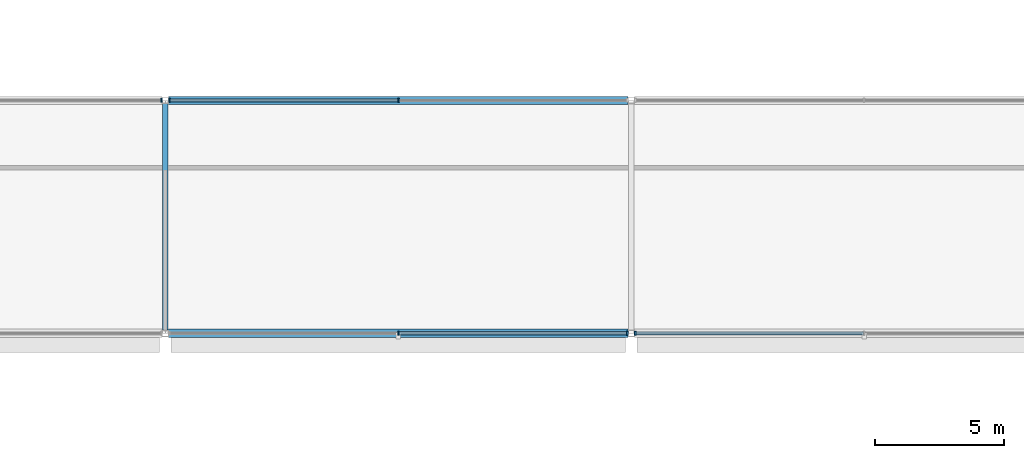
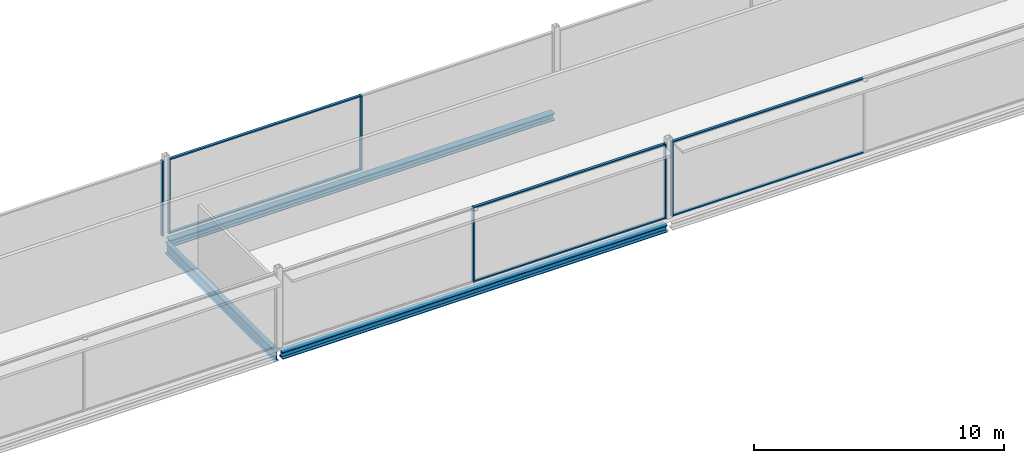
# One storey, part 37 of 96: 12 members, 3 beams, 4 elements without a shape of their own.
"""IFC4 building model written with IfcOpenShell, lengths in metres."""

from ifc_helpers import new_model, si_unit, direction, frame, origin, origin_2d, place, context, subcontext, project, spatial, rectangle, i_section, extrude, material, layer, layer_set, material_profile, profile_set, type_object, element, aggregate, save


model = new_model("IFC4")

# Units and contexts
model_context = context("Model", 3, precision=1e-05, world=origin(), true_north=direction((0.0, 1.0)))
body_context = subcontext(model_context, "Body", "Model", "MODEL_VIEW")
ifc_project = project(units=[si_unit("LENGTHUNIT", "METRE"), si_unit("AREAUNIT", "SQUARE_METRE"), si_unit("VOLUMEUNIT", "CUBIC_METRE"), si_unit("PLANEANGLEUNIT", "RADIAN"), si_unit("MASSUNIT", "GRAM", prefix="KILO")], contexts=[model_context])

# Site, building, storey
site_placement = place(None, origin())
site = spatial("IfcSite", under=ifc_project, at=site_placement, CompositionType="ELEMENT")
building_placement = place(site_placement, origin())
building = spatial("IfcBuilding", under=site, at=building_placement, Name="Kisiwana Market Hall", CompositionType="ELEMENT")
storey_placement = place(building_placement, frame((0.0, 0.0, 25.5)))
storey = spatial("IfcBuildingStorey", under=building, at=storey_placement, Name="L05", CompositionType="ELEMENT", Elevation=25.5)

# Beams
ifc_material_1 = material(Name="Steel S355", Category="steel")
ifc_material_profile_1 = material_profile(ifc_material_1, i_section(OverallWidth=0.209228515625, OverallDepth=0.533203125, WebThickness=0.010009765625, FlangeThickness=0.015625, at=origin_2d()), Name="UB 533x210x92")
ifc_profile_set_1 = profile_set([ifc_material_profile_1], Name="Steel S355")
beam_type_1 = type_object("IfcBeamType", Name="BM-GIRD-UB533", PredefinedType="BEAM", material=ifc_profile_set_1)
beam_placement = place(storey_placement, frame((99.0, 93.12109375, -0.531494140625), z_axis=(0.0, 1.0, 0.0), x_axis=(-1.0, 0.0, 0.0)))
element("IfcBeam", 1, at=beam_placement, inside=storey, type_object=beam_type_1, Name="Primary girder B-1544", PredefinedType="BEAM", context=body_context, shape_type="SweptSolid", body=[
    extrude(i_section(OverallWidth=0.209228515625, OverallDepth=0.533203125, WebThickness=0.010009765625, FlangeThickness=0.015625, at=origin_2d()), origin(), (0.0, 0.0, 1.0), 8.7578125),
])
ifc_material_2 = material(Name="Steel S355", Category="steel")
ifc_material_profile_2 = material_profile(ifc_material_2, i_section(OverallWidth=0.314453125, OverallDepth=0.33984375, WebThickness=0.01904296875, FlangeThickness=0.031494140625, at=origin_2d()), Name="UC 305x305x198")
ifc_profile_set_2 = profile_set([ifc_material_profile_2], Name="Steel S355")
beam_type_2 = type_object("IfcBeamType", Name="BM-SKYBR-CHORD", PredefinedType="BEAM", material=ifc_profile_set_2)
for number, where, z_axis, x_axis, name in (
    (2, (99.12109375, 93.0, -0.43505859375), (1.0, 0.0, 0.0), (0.0, 1.0, 0.0), "Floor beam B-1644"),
    (3, (99.12109375, 102.0, -0.43505859375), (1.0, 0.0, 0.0), (0.0, 1.0, 0.0), "Floor beam B-1654"),
):
    element("IfcBeam", number, at=place(storey_placement, frame(where, z_axis=z_axis, x_axis=x_axis)), inside=storey, type_object=beam_type_2, Name=name, PredefinedType="BEAM", context=body_context, shape_type="SweptSolid", body=[
        extrude(i_section(OverallWidth=0.314453125, OverallDepth=0.33984375, WebThickness=0.01904296875, FlangeThickness=0.031494140625, at=origin_2d()), origin(), (0.0, 0.0, 1.0), 17.7578125),
    ])

# Curtain wall, members
ifc_material_3 = material(Name="Double-glazed solar-control low-E IGU", Category="glass")
ifc_layer = layer(ifc_material_3, 0.159912109375)
ifc_layer_set = layer_set([ifc_layer], Name="CW-ZNA-EW-8200")
curtain_wall_type = type_object("IfcCurtainWallType", Name="CW-ZNA-EW-8200", PredefinedType="USERDEFINED", material=ifc_layer_set)
curtain_wall_1_placement = place(storey_placement, origin())
curtain_wall_1 = element("IfcCurtainWall", 4, at=curtain_wall_1_placement, inside=storey, type_object=curtain_wall_type, Name="Unitised curtain wall CW-147 (L05)", ObjectType="UNITISED CURTAIN WALL", PredefinedType="USERDEFINED")
ifc_material_4 = material(Name="Aluminium alloy 6063-T6", Category="aluminium")
ifc_material_profile_3 = material_profile(ifc_material_4, rectangle(XDim=0.06005859375, YDim=0.159912109375, at=origin_2d()), Name="ALU MULLION 60x160")
ifc_profile_set_3 = profile_set([ifc_material_profile_3], Name="Aluminium alloy 6063-T6")
member_type_1 = type_object("IfcMemberType", Name="CW-MULL-60x160", PredefinedType="MULLION", material=ifc_profile_set_3)
member_1_placement = place(storey_placement, frame((108.0, 93.0, 0.0), z_axis=(0.0, 0.0, 1.0), x_axis=(1.0, 0.0, 0.0)))
member_1 = element("IfcMember", 5, at=member_1_placement, type_object=member_type_1, Name="CW-147 mullion 2", PredefinedType="MULLION", context=body_context, shape_type="SweptSolid", body=[
    extrude(rectangle(XDim=0.06005859375, YDim=0.159912109375, at=origin_2d()), origin(), (0.0, 0.0, 1.0), 3.655029296875),
])
member_2_placement = place(storey_placement, frame((116.844970703125, 93.0, 0.0), z_axis=(0.0, 0.0, 1.0), x_axis=(1.0, 0.0, 0.0)))
member_2 = element("IfcMember", 6, at=member_2_placement, type_object=member_type_1, Name="CW-147 mullion 3", PredefinedType="MULLION", context=body_context, shape_type="SweptSolid", body=[
    extrude(rectangle(XDim=0.06005859375, YDim=0.159912109375, at=origin_2d()), origin(), (0.0, 0.0, 1.0), 3.655029296875),
])

# Curtain wall, member
curtain_wall_2_placement = place(storey_placement, origin())
curtain_wall_2 = element("IfcCurtainWall", 7, at=curtain_wall_2_placement, inside=storey, type_object=curtain_wall_type, Name="Unitised curtain wall CW-148 (L05)", ObjectType="UNITISED CURTAIN WALL", PredefinedType="USERDEFINED")
member_3_placement = place(storey_placement, frame((117.155029296875, 93.0, 0.0), z_axis=(0.0, 0.0, 1.0), x_axis=(1.0, 0.0, 0.0)))
member_3 = element("IfcMember", 8, at=member_3_placement, type_object=member_type_1, Name="CW-148 mullion 1", PredefinedType="MULLION", context=body_context, shape_type="SweptSolid", body=[
    extrude(rectangle(XDim=0.06005859375, YDim=0.159912109375, at=origin_2d()), origin(), (0.0, 0.0, 1.0), 3.655029296875),
])

curtain_wall_3_placement = place(storey_placement, origin())
curtain_wall_3 = element("IfcCurtainWall", 9, at=curtain_wall_3_placement, inside=storey, type_object=curtain_wall_type, Name="Unitised curtain wall CW-152 (L05)", ObjectType="UNITISED CURTAIN WALL", PredefinedType="USERDEFINED")
member_4_placement = place(storey_placement, frame((98.844970703125, 102.0, 0.0), z_axis=(0.0, 0.0, 1.0), x_axis=(1.0, 0.0, 0.0)))
member_4 = element("IfcMember", 10, at=member_4_placement, type_object=member_type_1, Name="CW-152 mullion 3", PredefinedType="MULLION", context=body_context, shape_type="SweptSolid", body=[
    extrude(rectangle(XDim=0.06005859375, YDim=0.159912109375, at=origin_2d()), origin(), (0.0, 0.0, 1.0), 3.655029296875),
])
aggregate(curtain_wall_3, [member_4])

# Curtain wall, members
curtain_wall_4_placement = place(storey_placement, origin())
curtain_wall_4 = element("IfcCurtainWall", 11, at=curtain_wall_4_placement, inside=storey, type_object=curtain_wall_type, Name="Unitised curtain wall CW-153 (L05)", ObjectType="UNITISED CURTAIN WALL", PredefinedType="USERDEFINED")
member_5_placement = place(storey_placement, frame((99.155029296875, 102.0, 0.0), z_axis=(0.0, 0.0, 1.0), x_axis=(1.0, 0.0, 0.0)))
member_5 = element("IfcMember", 12, at=member_5_placement, type_object=member_type_1, Name="CW-153 mullion 1", PredefinedType="MULLION", context=body_context, shape_type="SweptSolid", body=[
    extrude(rectangle(XDim=0.06005859375, YDim=0.159912109375, at=origin_2d()), origin(), (0.0, 0.0, 1.0), 3.655029296875),
])
member_6_placement = place(storey_placement, frame((108.0, 102.0, 0.0), z_axis=(0.0, 0.0, 1.0), x_axis=(1.0, 0.0, 0.0)))
member_6 = element("IfcMember", 13, at=member_6_placement, type_object=member_type_1, Name="CW-153 mullion 2", PredefinedType="MULLION", context=body_context, shape_type="SweptSolid", body=[
    extrude(rectangle(XDim=0.06005859375, YDim=0.159912109375, at=origin_2d()), origin(), (0.0, 0.0, 1.0), 3.655029296875),
])

# Member
ifc_material_5 = material(Name="Aluminium alloy 6063-T6", Category="aluminium")
ifc_material_profile_4 = material_profile(ifc_material_5, rectangle(XDim=0.1201171875, YDim=0.06005859375, at=origin_2d()), Name="ALU TRANSOM 60x120")
ifc_profile_set_4 = profile_set([ifc_material_profile_4], Name="Aluminium alloy 6063-T6")
member_type_2 = type_object("IfcMemberType", Name="CW-TRAN-60x120", PredefinedType="USERDEFINED", material=ifc_profile_set_4)
member_7_placement = place(storey_placement, frame((108.030029296875, 93.0, 0.030029296875), z_axis=(1.0, 0.0, 0.0), x_axis=(0.0, 1.0, 0.0)))
member_7 = element("IfcMember", 14, at=member_7_placement, type_object=member_type_2, Name="CW-147 transom 2.1", ObjectType="TRANSOM", PredefinedType="USERDEFINED", context=body_context, shape_type="SweptSolid", body=[
    extrude(rectangle(XDim=0.1201171875, YDim=0.06005859375, at=origin_2d()), origin(), (0.0, 0.0, 1.0), 8.784912109375),
])

member_8_placement = place(storey_placement, frame((108.030029296875, 93.0, 3.625), z_axis=(1.0, 0.0, 0.0), x_axis=(0.0, 1.0, 0.0)))
member_8 = element("IfcMember", 15, at=member_8_placement, type_object=member_type_2, Name="CW-147 transom 2.2", ObjectType="TRANSOM", PredefinedType="USERDEFINED", context=body_context, shape_type="SweptSolid", body=[
    extrude(rectangle(XDim=0.1201171875, YDim=0.06005859375, at=origin_2d()), origin(), (0.0, 0.0, 1.0), 8.784912109375),
])

aggregate(curtain_wall_1, [member_1, member_2, member_7, member_8])

member_9_placement = place(storey_placement, frame((117.18505859375, 93.0, 0.030029296875), z_axis=(1.0, 0.0, 0.0), x_axis=(0.0, 1.0, 0.0)))
member_9 = element("IfcMember", 16, at=member_9_placement, type_object=member_type_2, Name="CW-148 transom 1.1", ObjectType="TRANSOM", PredefinedType="USERDEFINED", context=body_context, shape_type="SweptSolid", body=[
    extrude(rectangle(XDim=0.1201171875, YDim=0.06005859375, at=origin_2d()), origin(), (0.0, 0.0, 1.0), 8.784912109375),
])

member_10_placement = place(storey_placement, frame((117.18505859375, 93.0, 3.625), z_axis=(1.0, 0.0, 0.0), x_axis=(0.0, 1.0, 0.0)))
member_10 = element("IfcMember", 17, at=member_10_placement, type_object=member_type_2, Name="CW-148 transom 1.2", ObjectType="TRANSOM", PredefinedType="USERDEFINED", context=body_context, shape_type="SweptSolid", body=[
    extrude(rectangle(XDim=0.1201171875, YDim=0.06005859375, at=origin_2d()), origin(), (0.0, 0.0, 1.0), 8.784912109375),
])

aggregate(curtain_wall_2, [member_3, member_9, member_10])

member_11_placement = place(storey_placement, frame((99.18505859375, 102.0, 0.030029296875), z_axis=(1.0, 0.0, 0.0), x_axis=(0.0, 1.0, 0.0)))
member_11 = element("IfcMember", 18, at=member_11_placement, type_object=member_type_2, Name="CW-153 transom 1.1", ObjectType="TRANSOM", PredefinedType="USERDEFINED", context=body_context, shape_type="SweptSolid", body=[
    extrude(rectangle(XDim=0.1201171875, YDim=0.06005859375, at=origin_2d()), origin(), (0.0, 0.0, 1.0), 8.784912109375),
])

member_12_placement = place(storey_placement, frame((99.18505859375, 102.0, 3.625), z_axis=(1.0, 0.0, 0.0), x_axis=(0.0, 1.0, 0.0)))
member_12 = element("IfcMember", 19, at=member_12_placement, type_object=member_type_2, Name="CW-153 transom 1.2", ObjectType="TRANSOM", PredefinedType="USERDEFINED", context=body_context, shape_type="SweptSolid", body=[
    extrude(rectangle(XDim=0.1201171875, YDim=0.06005859375, at=origin_2d()), origin(), (0.0, 0.0, 1.0), 8.784912109375),
])

aggregate(curtain_wall_4, [member_5, member_6, member_11, member_12])

save(model, "model.ifc")
